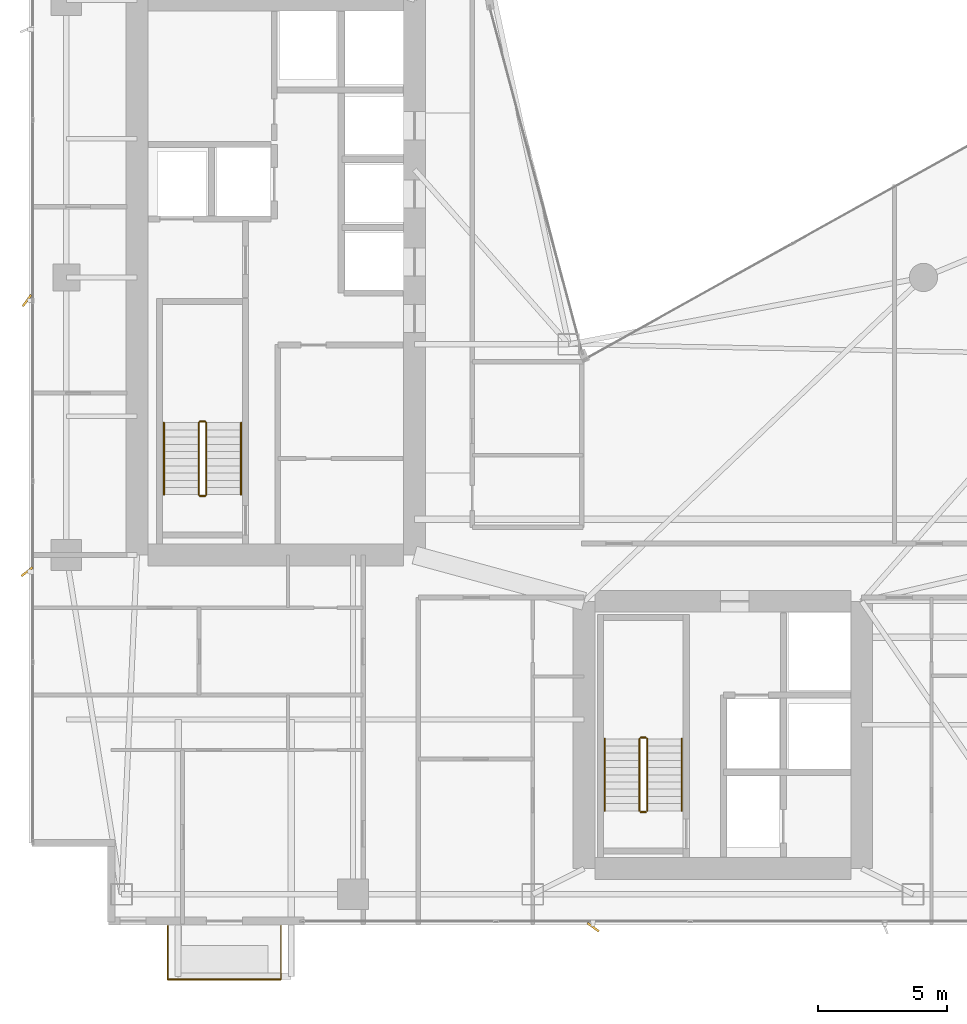
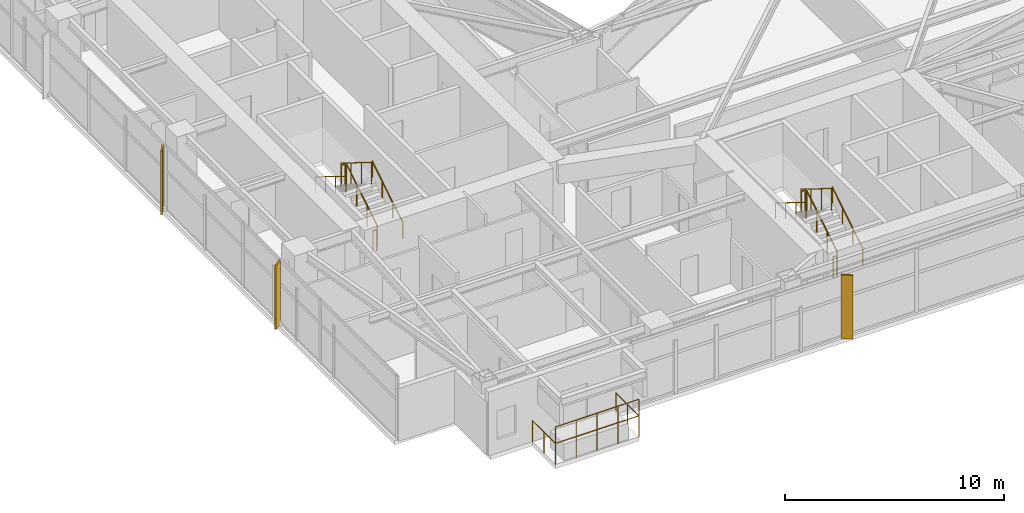
# One storey, part 28 of 29: 14 railings, 3 shading devices.
"""IFC4 building model written with IfcOpenShell, lengths in metres."""

import ifcopenshell
import ifcopenshell.guid

model = None  # the IFC model being written
_history = None  # IfcOwnerHistory: only IFC2X3 demands one
_inside = {}  # id of a spatial element -> (the spatial element, [elements in it])
_under = {}  # id of a project, library or spatial element -> (it, [spatial elements below it])
_declared = {}  # id of a project -> (the project, [libraries it declares])
_typed = {}  # id of a type object -> (the type object, [elements of that type])
_made_of = {}  # id of a material, layer set ... -> (it, [elements and type objects made of it])


def new_model(schema):
    """Start an empty IFC model of exactly this schema.

    Asked for "IFC4X3", IfcOpenShell would pick the latest addendum, in which some entities
    have other attributes; the version numbers below select the first issue.
    IFC2X3 requires an IfcOwnerHistory on every rooted entity: one is made here for all.
    """
    global model, _history
    if schema == "IFC4X3":
        model = ifcopenshell.file(schema_version=(4, 3, 0, 0))
    else:
        model = ifcopenshell.file(schema=schema)
    _inside.clear()
    _under.clear()
    _declared.clear()
    _typed.clear()
    _made_of.clear()
    _history = None
    if model.schema == "IFC2X3":
        org = make("IfcOrganization", Name="unknown")
        user = make(
            "IfcPersonAndOrganization",
            ThePerson=make("IfcPerson", FamilyName="unknown"),
            TheOrganization=org,
        )
        app = make(
            "IfcApplication",
            ApplicationDeveloper=org,
            Version="unknown",
            ApplicationFullName="unknown",
            ApplicationIdentifier="unknown",
        )
        _history = make(
            "IfcOwnerHistory",
            OwningUser=user,
            OwningApplication=app,
            ChangeAction="ADDED",
            CreationDate=0,
        )
    return model


def make(cls, **values):
    """One entity of the class cls with the attributes given. An attribute that is None is left unset."""
    return model.create_entity(
        cls, **{name: value for name, value in values.items() if value is not None}
    )


def rooted(cls, **values):
    """An entity with a GlobalId (a new one), such as an element, a storey or a relation."""
    return make(cls, GlobalId=ifcopenshell.guid.new(), OwnerHistory=_history, **values)


def si_unit(unit_type, name, prefix=None):
    """IfcSIUnit, for example si_unit("LENGTHUNIT", "METRE", prefix="MILLI")."""
    return make("IfcSIUnit", UnitType=unit_type, Prefix=prefix, Name=name)


def assignment(units):
    """IfcUnitAssignment: the units of a project."""
    return None if units is None else make("IfcUnitAssignment", Units=units)


def point(xyz):
    """IfcCartesianPoint."""
    return None if xyz is None else make("IfcCartesianPoint", Coordinates=xyz)


def direction(xyz):
    """IfcDirection."""
    return None if xyz is None else make("IfcDirection", DirectionRatios=xyz)


def frame(location, z_axis=None, x_axis=None):
    """IfcAxis2Placement3D, a coordinate frame: its origin and axes. An axis left out is left unset."""
    return make(
        "IfcAxis2Placement3D",
        Location=point(location),
        Axis=direction(z_axis),
        RefDirection=direction(x_axis),
    )


def frame_2d(location, x_axis=None):
    """IfcAxis2Placement2D, a coordinate frame in the plane: its origin and x axis."""
    return make(
        "IfcAxis2Placement2D", Location=point(location), RefDirection=direction(x_axis)
    )


def origin():
    """The frame at (0, 0, 0) with its axes left unset."""
    return frame((0.0, 0.0, 0.0))


def origin_2d():
    """The frame at (0, 0) in the plane with its x axis left unset."""
    return frame_2d((0.0, 0.0))


def place(relative_to, where):
    """IfcLocalPlacement: puts the frame where relative to a parent placement (None: the world)."""
    return make(
        "IfcLocalPlacement", PlacementRelTo=relative_to, RelativePlacement=where
    )


def context(
    kind, dimensions, precision=None, world=None, true_north=None, identifier=None
):
    """IfcGeometricRepresentationContext, for example the 3D "Model" context."""
    return make(
        "IfcGeometricRepresentationContext",
        ContextIdentifier=identifier,
        ContextType=kind,
        CoordinateSpaceDimension=dimensions,
        Precision=precision,
        WorldCoordinateSystem=world,
        TrueNorth=true_north,
    )


def subcontext(parent, identifier, kind, view, scale=None):
    """IfcGeometricRepresentationSubContext, for example "Body" below "Model"."""
    return make(
        "IfcGeometricRepresentationSubContext",
        ContextIdentifier=identifier,
        ContextType=kind,
        ParentContext=parent,
        TargetScale=scale,
        TargetView=view,
    )


def project(units=None, contexts=None):
    """IfcProject with its units and contexts."""
    return rooted(
        "IfcProject",
        Name="project",
        RepresentationContexts=contexts,
        UnitsInContext=assignment(units),
    )


def spatial(cls, under=None, at=None, **own):
    """A site, building, storey or space (cls), placed at a placement, below another one or the project."""
    s = rooted(cls, ObjectPlacement=at, **own)
    if under is not None:
        _under.setdefault(under.id(), (under, []))[1].append(s)
    return s


def profile(cls, at=None, kind="AREA", **sizes):
    """A parametric profile (cls). Its sizes go by their IFC names, for example OverallWidth=200.0."""
    return make(cls, ProfileType=kind, Position=at, **sizes)


def rectangle(**sizes):
    """IfcRectangleProfileDef."""
    return profile("IfcRectangleProfileDef", **sizes)


def circle(**sizes):
    """IfcCircleProfileDef."""
    return profile("IfcCircleProfileDef", **sizes)


def extrude(swept, where, along, depth):
    """IfcExtrudedAreaSolid: the profile swept, set in the frame where, extruded along a direction by depth."""
    return make(
        "IfcExtrudedAreaSolid",
        SweptArea=swept,
        Position=where,
        ExtrudedDirection=direction(along),
        Depth=depth,
    )


def shape(context_of_items, identifier, shape_type, items):
    """IfcShapeRepresentation: the items that make up one representation, for example the "Body"."""
    return make(
        "IfcShapeRepresentation",
        ContextOfItems=context_of_items,
        RepresentationIdentifier=identifier,
        RepresentationType=shape_type,
        Items=items,
    )


def material(Name=None, Category=None):
    """IfcMaterial."""
    return make("IfcMaterial", Name=Name, Category=Category)


def made_of(thing, what):
    """Note that an element or type object is made of a material, layer set ...; save() writes the relation."""
    if what is not None:
        _made_of.setdefault(what.id(), (what, []))[1].append(thing)
    return thing


def type_object(cls, material=None, **own):
    """A type object (cls), such as IfcWallType, which elements share."""
    return made_of(rooted(cls, **own), material)


def element(
    cls,
    number,
    at=None,
    inside=None,
    cuts=None,
    type_object=None,
    material=None,
    context=None,
    identifier="Body",
    shape_type=None,
    held_by="IfcProductDefinitionShape",
    body=None,
    shapes=None,
    **own,
):
    """One element of the class cls, such as IfcWall. Its Tag is "e" and its number.

    at: its placement. inside: the storey or other place that contains it. cuts: it is an
    opening in that element (IfcRelVoidsElement). A single representation is given by context,
    identifier, shape_type and body (its items); several are given by shapes. held_by: the class
    of the entity that holds the representations. save() writes the other relations.
    """
    e = rooted(cls, Tag="e%d" % number, ObjectPlacement=at, **own)
    if body is not None:
        shapes = [shape(context, identifier, shape_type, body)]
    if shapes is not None:
        e.Representation = make(held_by, Representations=shapes)
    if inside is not None:
        _inside.setdefault(inside.id(), (inside, []))[1].append(e)
    if cuts is not None:
        rooted(
            "IfcRelVoidsElement", RelatingBuildingElement=cuts, RelatedOpeningElement=e
        )
    if type_object is not None:
        _typed.setdefault(type_object.id(), (type_object, []))[1].append(e)
    return made_of(e, material)


def aggregate(whole, parts):
    """IfcRelAggregates: a whole, such as a stair, and the parts it consists of."""
    return rooted("IfcRelAggregates", RelatingObject=whole, RelatedObjects=parts)


def save(model, path):
    """Write the relations noted so far, then the file.

    IfcRelAggregates (storeys below a building ...), IfcRelContainedInSpatialStructure (elements
    in a storey), IfcRelDefinesByType, IfcRelAssociatesMaterial and IfcRelDeclares: one each for
    every whole, place, type object, material and project.
    """
    for whole, parts in _under.values():
        aggregate(whole, parts)
    for where, things in _inside.values():
        rooted(
            "IfcRelContainedInSpatialStructure",
            RelatedElements=things,
            RelatingStructure=where,
        )
    for kind, things in _typed.values():
        rooted("IfcRelDefinesByType", RelatedObjects=things, RelatingType=kind)
    for what, things in _made_of.values():
        rooted("IfcRelAssociatesMaterial", RelatedObjects=things, RelatingMaterial=what)
    for by, libraries in _declared.values():
        rooted("IfcRelDeclares", RelatingContext=by, RelatedDefinitions=libraries)
    model.write(path)


model = new_model("IFC4")

# Units and contexts
model_context = context("Model", 3, precision=1e-05, world=origin(), true_north=direction((0.0, 1.0)))
body_context = subcontext(model_context, "Body", "Model", "MODEL_VIEW")
ifc_project = project(units=[si_unit("LENGTHUNIT", "METRE"), si_unit("AREAUNIT", "SQUARE_METRE"), si_unit("VOLUMEUNIT", "CUBIC_METRE"), si_unit("PLANEANGLEUNIT", "RADIAN"), si_unit("MASSUNIT", "GRAM", prefix="KILO")], contexts=[model_context])

# Site, building, storey
site_placement = place(None, origin())
site = spatial("IfcSite", under=ifc_project, at=site_placement, CompositionType="ELEMENT")
building_placement = place(site_placement, origin())
building = spatial("IfcBuilding", under=site, at=building_placement, Name="Calvorn Quay Hotel", CompositionType="ELEMENT")
storey_placement = place(building_placement, frame((0.0, 0.0, 171.300048828125)))
storey = spatial("IfcBuildingStorey", under=building, at=storey_placement, Name="L42", CompositionType="ELEMENT", Elevation=171.300048828125)

# Railings
ifc_material_1 = material(Name="Pale Anodised Aluminium and Laminated Glass", Category="aluminium")
railing_type_1 = type_object("IfcRailingType", Name="RLG-BALUSTRADE-1200", PredefinedType="BALUSTRADE", material=ifc_material_1)
railing_1_placement = place(storey_placement, frame((5.39990234375, 2.389892578125, 0.0)))
element("IfcRailing", 1, at=railing_1_placement, inside=storey, type_object=railing_type_1, Name="Tree Balcony Perimeter Balustrade L42-BALC-S", PredefinedType="BALUSTRADE", context=body_context, shape_type="SweptSolid", body=[
    extrude(circle(Radius=0.02392578125, at=origin_2d()), frame((0.0, 0.0, 1.17578125), z_axis=(0.0, -1.0, 0.0), x_axis=(1.0, 0.0, 0.0)), (0.0, 0.0, 1.0), 2.099853515625),
    extrude(circle(Radius=0.02392578125, at=origin_2d()), frame((0.0, -2.099853515625, 1.17578125), z_axis=(1.0, 0.0, 0.0), x_axis=(0.0, 1.0, 0.0)), (0.0, 0.0, 1.0), 4.400146484375),
    extrude(circle(Radius=0.02392578125, at=origin_2d()), frame((4.400146484375, -2.099853515625, 1.17578125), z_axis=(0.0, 1.0, 0.0), x_axis=(-1.0, 0.0, 0.0)), (0.0, 0.0, 1.0), 2.099853515625),
    extrude(circle(Radius=0.02099609375, at=origin_2d()), origin(), (0.0, 0.0, 1.0), 1.15185546875),
    extrude(circle(Radius=0.02099609375, at=origin_2d()), frame((0.0, -1.0498046875, 0.0)), (0.0, 0.0, 1.0), 1.15185546875),
    extrude(circle(Radius=0.02099609375, at=origin_2d()), frame((0.0, -2.099853515625, 0.0)), (0.0, 0.0, 1.0), 1.15185546875),
    extrude(circle(Radius=0.02099609375, at=origin_2d()), frame((1.10009765625, -2.099853515625, 0.0)), (0.0, 0.0, 1.0), 1.15185546875),
    extrude(circle(Radius=0.02099609375, at=origin_2d()), frame((2.2001953125, -2.099853515625, 0.0)), (0.0, 0.0, 1.0), 1.15185546875),
    extrude(circle(Radius=0.02099609375, at=origin_2d()), frame((3.300048828125, -2.099853515625, 0.0)), (0.0, 0.0, 1.0), 1.15185546875),
    extrude(circle(Radius=0.02099609375, at=origin_2d()), frame((4.400146484375, -2.099853515625, 0.0)), (0.0, 0.0, 1.0), 1.15185546875),
    extrude(circle(Radius=0.02099609375, at=origin_2d()), frame((4.400146484375, -1.0498046875, 0.0)), (0.0, 0.0, 1.0), 1.15185546875),
    extrude(circle(Radius=0.02099609375, at=origin_2d()), frame((4.400146484375, 0.0, 0.0)), (0.0, 0.0, 1.0), 1.15185546875),
])
railing_2_placement = place(storey_placement, frame((5.39990234375, 0.2900390625, 0.89990234375)))
element("IfcRailing", 2, at=railing_2_placement, inside=storey, type_object=railing_type_1, Name="Planter Kerb High Safety Screen L42-BALC-S", PredefinedType="BALUSTRADE", context=body_context, shape_type="SweptSolid", body=[
    extrude(circle(Radius=0.02392578125, at=origin_2d()), frame((0.0, 0.0, 1.19580078125), z_axis=(1.0, 0.0, 0.0), x_axis=(0.0, 1.0, 0.0)), (0.0, 0.0, 1.0), 4.400146484375),
    extrude(circle(Radius=0.02099609375, at=origin_2d()), origin(), (0.0, 0.0, 1.0), 1.171875),
    extrude(circle(Radius=0.02099609375, at=origin_2d()), frame((1.10009765625, 0.0, 0.0)), (0.0, 0.0, 1.0), 1.171875),
    extrude(circle(Radius=0.02099609375, at=origin_2d()), frame((2.2001953125, 0.0, 0.0)), (0.0, 0.0, 1.0), 1.171875),
    extrude(circle(Radius=0.02099609375, at=origin_2d()), frame((3.300048828125, 0.0, 0.0)), (0.0, 0.0, 1.0), 1.171875),
    extrude(circle(Radius=0.02099609375, at=origin_2d()), frame((4.400146484375, 0.0, 0.0)), (0.0, 0.0, 1.0), 1.171875),
])
ifc_material_2 = material(Name="Brushed Stainless Steel Handrail", Category="steel")
railing_type_2 = type_object("IfcRailingType", Name="RLG-HANDRAIL-900", PredefinedType="HANDRAIL", material=ifc_material_2)
railing_3_placement = place(storey_placement, frame((8.25, 19.14990234375, 0.172607421875)))
element("IfcRailing", 3, at=railing_3_placement, inside=storey, type_object=railing_type_2, Name="L42 ST-W stair handrail 1", PredefinedType="HANDRAIL", context=body_context, shape_type="SweptSolid", body=[
    extrude(circle(Radius=0.02392578125, at=origin_2d()), frame((0.0, 0.0, 0.8759765625), z_axis=(0.0, 0.851089632645, 0.525020415988), x_axis=(-1.0, 0.0, 0.0)), (0.0, 0.0, 1.0), 3.2900390625),
    extrude(circle(Radius=0.02099609375, at=origin_2d()), origin(), (0.0, 0.0, 1.0), 0.851806640625),
    extrude(circle(Radius=0.02099609375, at=origin_2d()), frame((0.0, 0.933349609375, 0.57568359375)), (0.0, 0.0, 1.0), 0.851806640625),
    extrude(circle(Radius=0.02099609375, at=origin_2d()), frame((0.0, 1.86669921875, 1.151611328125)), (0.0, 0.0, 1.0), 0.851806640625),
    extrude(circle(Radius=0.02099609375, at=origin_2d()), frame((0.0, 2.800048828125, 1.727294921875)), (0.0, 0.0, 1.0), 0.851806640625),
])
railing_4_placement = place(storey_placement, frame((5.25, 21.949951171875, 2.07275390625)))
element("IfcRailing", 4, at=railing_4_placement, inside=storey, type_object=railing_type_2, Name="L42 ST-W stair handrail 2", PredefinedType="HANDRAIL", context=body_context, shape_type="SweptSolid", body=[
    extrude(circle(Radius=0.02392578125, at=origin_2d()), frame((0.0, 0.0, 0.8759765625), z_axis=(0.0, -0.851089632645, 0.525020415988), x_axis=(1.0, 0.0, 0.0)), (0.0, 0.0, 1.0), 3.2900390625),
    extrude(circle(Radius=0.02099609375, at=origin_2d()), origin(), (0.0, 0.0, 1.0), 0.851806640625),
    extrude(circle(Radius=0.02099609375, at=origin_2d()), frame((0.0, -0.933349609375, 0.57568359375)), (0.0, 0.0, 1.0), 0.851806640625),
    extrude(circle(Radius=0.02099609375, at=origin_2d()), frame((0.0, -1.86669921875, 1.151611328125)), (0.0, 0.0, 1.0), 0.851806640625),
    extrude(circle(Radius=0.02099609375, at=origin_2d()), frame((0.0, -2.800048828125, 1.727294921875)), (0.0, 0.0, 1.0), 0.851806640625),
])
railing_5_placement = place(storey_placement, frame((25.39990234375, 6.85009765625, 0.172607421875)))
element("IfcRailing", 5, at=railing_5_placement, inside=storey, type_object=railing_type_2, Name="L42 ST-E stair handrail 1", PredefinedType="HANDRAIL", context=body_context, shape_type="SweptSolid", body=[
    extrude(circle(Radius=0.02392578125, at=origin_2d()), frame((0.0, 0.0, 0.8759765625), z_axis=(0.0, 0.851069175582, 0.525053576669), x_axis=(-1.0, 0.0, 0.0)), (0.0, 0.0, 1.0), 3.289794921875),
    extrude(circle(Radius=0.02099609375, at=origin_2d()), origin(), (0.0, 0.0, 1.0), 0.851806640625),
    extrude(circle(Radius=0.02099609375, at=origin_2d()), frame((0.0, 0.933349609375, 0.57568359375)), (0.0, 0.0, 1.0), 0.851806640625),
    extrude(circle(Radius=0.02099609375, at=origin_2d()), frame((0.0, 1.866455078125, 1.151611328125)), (0.0, 0.0, 1.0), 0.851806640625),
    extrude(circle(Radius=0.02099609375, at=origin_2d()), frame((0.0, 2.7998046875, 1.727294921875)), (0.0, 0.0, 1.0), 0.851806640625),
])
railing_6_placement = place(storey_placement, frame((22.39990234375, 9.64990234375, 2.07275390625)))
element("IfcRailing", 6, at=railing_6_placement, inside=storey, type_object=railing_type_2, Name="L42 ST-E stair handrail 2", PredefinedType="HANDRAIL", context=body_context, shape_type="SweptSolid", body=[
    extrude(circle(Radius=0.02392578125, at=origin_2d()), frame((0.0, 0.0, 0.8759765625), z_axis=(0.0, -0.851069175582, 0.525053576669), x_axis=(1.0, 0.0, 0.0)), (0.0, 0.0, 1.0), 3.289794921875),
    extrude(circle(Radius=0.02099609375, at=origin_2d()), origin(), (0.0, 0.0, 1.0), 0.851806640625),
    extrude(circle(Radius=0.02099609375, at=origin_2d()), frame((0.0, -0.933349609375, 0.57568359375)), (0.0, 0.0, 1.0), 0.851806640625),
    extrude(circle(Radius=0.02099609375, at=origin_2d()), frame((0.0, -1.866455078125, 1.151611328125)), (0.0, 0.0, 1.0), 0.851806640625),
    extrude(circle(Radius=0.02099609375, at=origin_2d()), frame((0.0, -2.7998046875, 1.727294921875)), (0.0, 0.0, 1.0), 0.851806640625),
])
ifc_material_3 = material(Name="Painted Galvanised Steel Balustrade", Category="steel")
railing_type_3 = type_object("IfcRailingType", Name="RLG-STAIR-GUARD-1120", PredefinedType="GUARDRAIL", material=ifc_material_3)
railing_7_placement = place(storey_placement, frame((6.89990234375, 19.14990234375, 0.172607421875)))
element("IfcRailing", 7, at=railing_7_placement, inside=storey, type_object=railing_type_3, Name="L42 ST-W stair guard 1", PredefinedType="GUARDRAIL", context=body_context, shape_type="SweptSolid", body=[
    extrude(circle(Radius=0.02392578125, at=origin_2d()), frame((0.0, 0.0, 1.17578125), z_axis=(0.0, 0.851089632645, 0.525020415988), x_axis=(-1.0, 0.0, 0.0)), (0.0, 0.0, 1.0), 3.2900390625),
    extrude(circle(Radius=0.02099609375, at=origin_2d()), origin(), (0.0, 0.0, 1.0), 1.15185546875),
    extrude(circle(Radius=0.02099609375, at=origin_2d()), frame((0.0, 0.933349609375, 0.57568359375)), (0.0, 0.0, 1.0), 1.15185546875),
    extrude(circle(Radius=0.02099609375, at=origin_2d()), frame((0.0, 1.86669921875, 1.151611328125)), (0.0, 0.0, 1.0), 1.15185546875),
    extrude(circle(Radius=0.02099609375, at=origin_2d()), frame((0.0, 2.800048828125, 1.727294921875)), (0.0, 0.0, 1.0), 1.15185546875),
])
railing_8_placement = place(storey_placement, frame((6.85009765625, 22.0, 1.89990234375)))
element("IfcRailing", 8, at=railing_8_placement, inside=storey, type_object=railing_type_3, Name="L42 ST-W stair guard 2", PredefinedType="GUARDRAIL", context=body_context, shape_type="SweptSolid", body=[
    extrude(circle(Radius=0.02392578125, at=origin_2d()), frame((0.0, 0.0, 1.17578125), z_axis=(-1.0, 0.0, 0.0), x_axis=(0.0, -1.0, 0.0)), (0.0, 0.0, 1.0), 0.2001953125),
    extrude(circle(Radius=0.02099609375, at=origin_2d()), origin(), (0.0, 0.0, 1.0), 1.15185546875),
    extrude(circle(Radius=0.02099609375, at=origin_2d()), frame((-0.2001953125, 0.0, 0.0)), (0.0, 0.0, 1.0), 1.15185546875),
])
railing_9_placement = place(storey_placement, frame((6.60009765625, 21.949951171875, 2.07275390625)))
element("IfcRailing", 9, at=railing_9_placement, inside=storey, type_object=railing_type_3, Name="L42 ST-W stair guard 3", PredefinedType="GUARDRAIL", context=body_context, shape_type="SweptSolid", body=[
    extrude(circle(Radius=0.02392578125, at=origin_2d()), frame((0.0, 0.0, 1.17578125), z_axis=(0.0, -0.851089632645, 0.525020415988), x_axis=(1.0, 0.0, 0.0)), (0.0, 0.0, 1.0), 3.2900390625),
    extrude(circle(Radius=0.02099609375, at=origin_2d()), origin(), (0.0, 0.0, 1.0), 1.15185546875),
    extrude(circle(Radius=0.02099609375, at=origin_2d()), frame((0.0, -0.933349609375, 0.57568359375)), (0.0, 0.0, 1.0), 1.15185546875),
    extrude(circle(Radius=0.02099609375, at=origin_2d()), frame((0.0, -1.86669921875, 1.151611328125)), (0.0, 0.0, 1.0), 1.15185546875),
    extrude(circle(Radius=0.02099609375, at=origin_2d()), frame((0.0, -2.800048828125, 1.727294921875)), (0.0, 0.0, 1.0), 1.15185546875),
])
railing_10_placement = place(storey_placement, frame((6.85009765625, 19.10009765625, 0.0)))
element("IfcRailing", 10, at=railing_10_placement, inside=storey, type_object=railing_type_3, Name="L42 ST-W stair guard 4", PredefinedType="GUARDRAIL", context=body_context, shape_type="SweptSolid", body=[
    extrude(circle(Radius=0.02392578125, at=origin_2d()), frame((0.0, 0.0, 1.17578125), z_axis=(-1.0, 0.0, 0.0), x_axis=(0.0, -1.0, 0.0)), (0.0, 0.0, 1.0), 0.2001953125),
    extrude(circle(Radius=0.02099609375, at=origin_2d()), origin(), (0.0, 0.0, 1.0), 1.15185546875),
    extrude(circle(Radius=0.02099609375, at=origin_2d()), frame((-0.2001953125, 0.0, 0.0)), (0.0, 0.0, 1.0), 1.15185546875),
])
railing_11_placement = place(storey_placement, frame((24.050048828125, 6.85009765625, 0.172607421875)))
element("IfcRailing", 11, at=railing_11_placement, inside=storey, type_object=railing_type_3, Name="L42 ST-E stair guard 1", PredefinedType="GUARDRAIL", context=body_context, shape_type="SweptSolid", body=[
    extrude(circle(Radius=0.02392578125, at=origin_2d()), frame((0.0, 0.0, 1.17578125), z_axis=(0.0, 0.851069175582, 0.525053576669), x_axis=(-1.0, 0.0, 0.0)), (0.0, 0.0, 1.0), 3.289794921875),
    extrude(circle(Radius=0.02099609375, at=origin_2d()), origin(), (0.0, 0.0, 1.0), 1.15185546875),
    extrude(circle(Radius=0.02099609375, at=origin_2d()), frame((0.0, 0.933349609375, 0.57568359375)), (0.0, 0.0, 1.0), 1.15185546875),
    extrude(circle(Radius=0.02099609375, at=origin_2d()), frame((0.0, 1.866455078125, 1.151611328125)), (0.0, 0.0, 1.0), 1.15185546875),
    extrude(circle(Radius=0.02099609375, at=origin_2d()), frame((0.0, 2.7998046875, 1.727294921875)), (0.0, 0.0, 1.0), 1.15185546875),
])
railing_12_placement = place(storey_placement, frame((24.0, 9.699951171875, 1.89990234375)))
element("IfcRailing", 12, at=railing_12_placement, inside=storey, type_object=railing_type_3, Name="L42 ST-E stair guard 2", PredefinedType="GUARDRAIL", context=body_context, shape_type="SweptSolid", body=[
    extrude(circle(Radius=0.02392578125, at=origin_2d()), frame((0.0, 0.0, 1.17578125), z_axis=(-1.0, 0.0, 0.0), x_axis=(0.0, -1.0, 0.0)), (0.0, 0.0, 1.0), 0.199951171875),
    extrude(circle(Radius=0.02099609375, at=origin_2d()), origin(), (0.0, 0.0, 1.0), 1.15185546875),
    extrude(circle(Radius=0.02099609375, at=origin_2d()), frame((-0.199951171875, 0.0, 0.0)), (0.0, 0.0, 1.0), 1.15185546875),
])
railing_13_placement = place(storey_placement, frame((23.75, 9.64990234375, 2.07275390625)))
element("IfcRailing", 13, at=railing_13_placement, inside=storey, type_object=railing_type_3, Name="L42 ST-E stair guard 3", PredefinedType="GUARDRAIL", context=body_context, shape_type="SweptSolid", body=[
    extrude(circle(Radius=0.02392578125, at=origin_2d()), frame((0.0, 0.0, 1.17578125), z_axis=(0.0, -0.851069175582, 0.525053576669), x_axis=(1.0, 0.0, 0.0)), (0.0, 0.0, 1.0), 3.289794921875),
    extrude(circle(Radius=0.02099609375, at=origin_2d()), origin(), (0.0, 0.0, 1.0), 1.15185546875),
    extrude(circle(Radius=0.02099609375, at=origin_2d()), frame((0.0, -0.933349609375, 0.57568359375)), (0.0, 0.0, 1.0), 1.15185546875),
    extrude(circle(Radius=0.02099609375, at=origin_2d()), frame((0.0, -1.866455078125, 1.151611328125)), (0.0, 0.0, 1.0), 1.15185546875),
    extrude(circle(Radius=0.02099609375, at=origin_2d()), frame((0.0, -2.7998046875, 1.727294921875)), (0.0, 0.0, 1.0), 1.15185546875),
])
railing_14_placement = place(storey_placement, frame((24.0, 6.800048828125, 0.0)))
element("IfcRailing", 14, at=railing_14_placement, inside=storey, type_object=railing_type_3, Name="L42 ST-E stair guard 4", PredefinedType="GUARDRAIL", context=body_context, shape_type="SweptSolid", body=[
    extrude(circle(Radius=0.02392578125, at=origin_2d()), frame((0.0, 0.0, 1.17578125), z_axis=(-1.0, 0.0, 0.0), x_axis=(0.0, -1.0, 0.0)), (0.0, 0.0, 1.0), 0.199951171875),
    extrude(circle(Radius=0.02099609375, at=origin_2d()), origin(), (0.0, 0.0, 1.0), 1.15185546875),
    extrude(circle(Radius=0.02099609375, at=origin_2d()), frame((-0.199951171875, 0.0, 0.0)), (0.0, 0.0, 1.0), 1.15185546875),
])

# Shading devices
ifc_material_4 = material(Name="Champagne Bronze Anodised Aluminium 6063-T6", Category="aluminium")
shading_device_type_1 = type_object("IfcShadingDeviceType", Name="SHD-FIN-A2", PredefinedType="USERDEFINED", material=ifc_material_4)
shading_device_placement = place(storey_placement, frame((-0.080078125, 16.14990234375, 0.0), z_axis=(0.0, 0.0, 1.0), x_axis=(0.788010753607, 0.615661475326, 0.0)))
element("IfcShadingDevice", 15, at=shading_device_placement, inside=storey, type_object=shading_device_type_1, Name="Diagonal Sun-Shading Fin L42-W01", ObjectType="FIN", PredefinedType="USERDEFINED", context=body_context, shape_type="SweptSolid", body=[
    extrude(rectangle(XDim=0.550048828125, YDim=0.080078125, at=origin_2d()), origin(), (0.0, 0.0, 1.0), 3.56005859375),
])
ifc_material_5 = material(Name="Champagne Bronze Anodised Aluminium 6063-T6", Category="aluminium")
shading_device_type_2 = type_object("IfcShadingDeviceType", Name="SHD-FIN-A3", PredefinedType="USERDEFINED", material=ifc_material_5)
for number, where, z_axis, x_axis, name in (
    (16, (-0.080078125, 26.699951171875, 0.0), (0.0, 0.0, 1.0), (0.587785252292, 0.809016994375, 0.0), "Diagonal Sun-Shading Fin L42-W02"),
    (17, (21.949951171875, 2.320068359375, 0.0), (0.0, 0.0, 1.0), (-0.809016994375, 0.587785252292, 0.0), "Diagonal Sun-Shading Fin L42-S01"),
):
    element("IfcShadingDevice", number, at=place(storey_placement, frame(where, z_axis=z_axis, x_axis=x_axis)), inside=storey, type_object=shading_device_type_2, Name=name, ObjectType="FIN", PredefinedType="USERDEFINED", context=body_context, shape_type="SweptSolid", body=[
        extrude(rectangle(XDim=0.550048828125, YDim=0.080078125, at=origin_2d()), origin(), (0.0, 0.0, 1.0), 3.56005859375),
    ])

save(model, "model.ifc")
